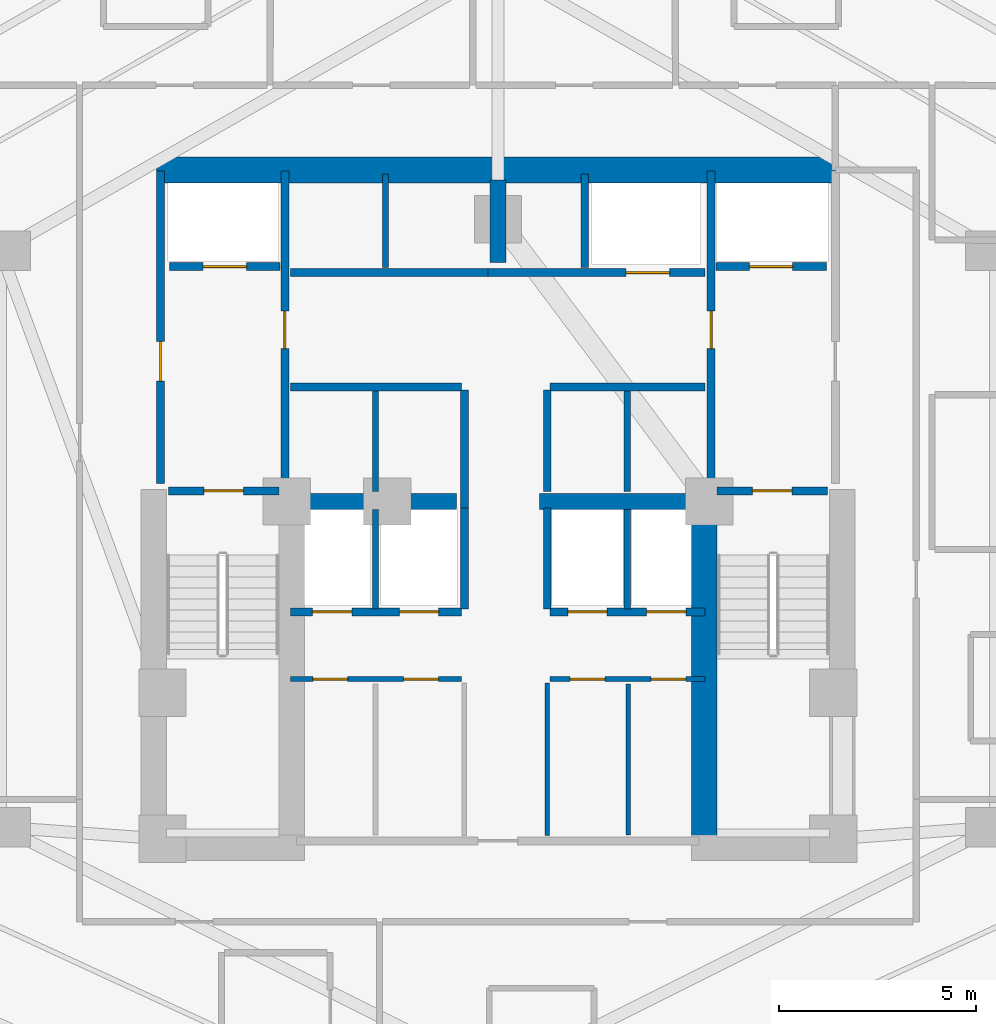
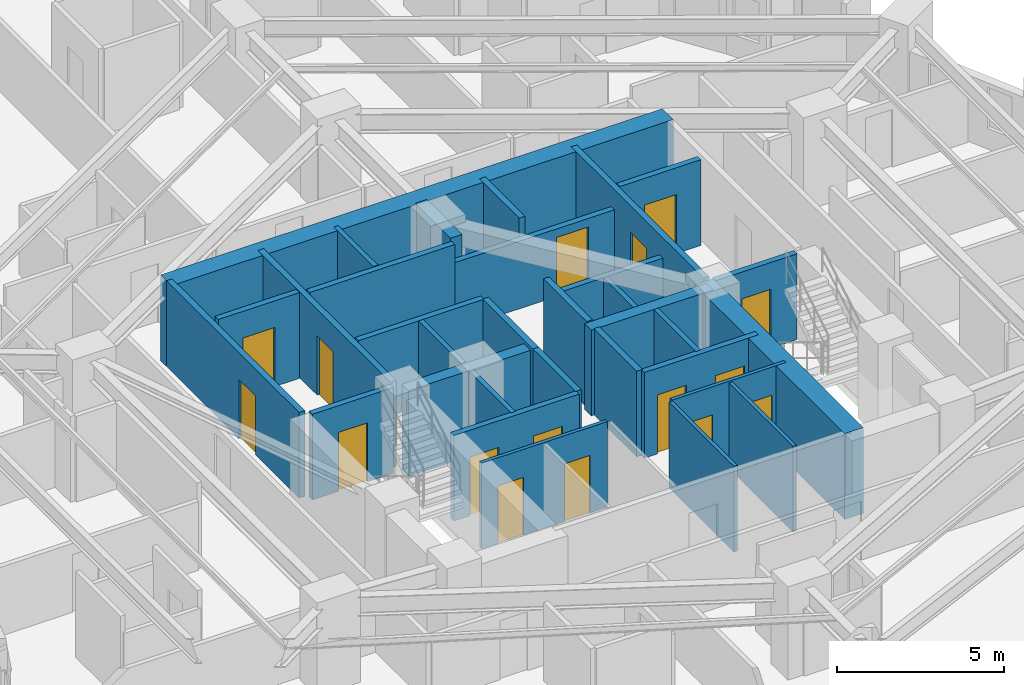
# One storey, part 8 of 13: 32 walls, 16 doors, 16 openings.
"""IFC4 building model written with IfcOpenShell, lengths in metres."""

from ifc_helpers import new_model, si_unit, direction, frame, frame_2d, origin, place, context, subcontext, project, spatial, rectangle, extrude, material, layer, layer_set, type_object, element, fill, save


model = new_model("IFC4")

# Units and contexts
model_context = context("Model", 3, precision=1e-05, world=origin(), true_north=direction((0.0, 1.0)))
body_context = subcontext(model_context, "Body", "Model", "MODEL_VIEW")
ifc_project = project(units=[si_unit("LENGTHUNIT", "METRE"), si_unit("AREAUNIT", "SQUARE_METRE"), si_unit("VOLUMEUNIT", "CUBIC_METRE"), si_unit("PLANEANGLEUNIT", "RADIAN"), si_unit("MASSUNIT", "GRAM", prefix="KILO")], contexts=[model_context])

# Site, building, storey
site_placement = place(None, origin())
site = spatial("IfcSite", under=ifc_project, at=site_placement, CompositionType="ELEMENT")
building_placement = place(site_placement, origin())
building = spatial("IfcBuilding", under=site, at=building_placement, Name="Miruveldt Soraemaru", CompositionType="ELEMENT")
storey_placement = place(building_placement, frame((0.0, 0.0, 46.199951171875)))
storey = spatial("IfcBuildingStorey", under=building, at=storey_placement, Name="L12", CompositionType="ELEMENT", Elevation=46.199951171875)

# Walls
ifc_material_1 = material(Name="Concrete C70/85 (70 MPa)", Category="concrete")
ifc_layer_1 = layer(ifc_material_1, 0.5, Name="Concrete C70/85 (70 MPa)", Category="concrete")
ifc_layer_set_1 = layer_set([ifc_layer_1], Name="Concrete C70/85 (70 MPa)")
wall_type_1 = type_object("IfcWallType", Name="WALL-BW-500", PredefinedType="SHEAR", material=ifc_layer_set_1)
wall_1_placement = place(storey_placement, frame((44.0, 50.10009765625, 0.0), z_axis=(0.0, 0.0, 1.0), x_axis=(0.0, 1.0, 0.0)))
element("IfcWall", 1, at=wall_1_placement, inside=storey, type_object=wall_type_1, Name="L12 Core Buttress Shear Wall BN", PredefinedType="SHEAR", context=body_context, shape_type="SweptSolid", body=[
    extrude(rectangle(XDim=2.099853515625, YDim=0.39990234375, at=frame_2d((1.0498046875, 0.0))), origin(), (0.0, 0.0, 1.0), 3.125),
])
for number, where, z_axis, x_axis, name in (
    (2, (38.75, 44.050048828125, 0.0), (0.0, 0.0, 1.0), (1.0, 0.0, 0.0), "L12 Core Buttress Shear Wall BW"),
    (3, (45.050048828125, 44.050048828125, 0.0), (0.0, 0.0, 1.0), (1.0, 0.0, 0.0), "L12 Core Buttress Shear Wall BE"),
):
    element("IfcWall", number, at=place(storey_placement, frame(where, z_axis=z_axis, x_axis=x_axis)), inside=storey, type_object=wall_type_1, Name=name, PredefinedType="SHEAR", context=body_context, shape_type="SweptSolid", body=[
        extrude(rectangle(XDim=4.199951171875, YDim=0.39990234375, at=frame_2d((2.10009765625, 0.0))), origin(), (0.0, 0.0, 1.0), 3.125),
    ])
ifc_material_2 = material(Name="Concrete C80/95 (80 MPa)", Category="concrete")
ifc_layer_2 = layer(ifc_material_2, 0.64990234375, Name="Concrete C80/95 (80 MPa)", Category="concrete")
ifc_layer_set_2 = layer_set([ifc_layer_2], Name="Concrete C80/95 (80 MPa)")
wall_type_2 = type_object("IfcWallType", Name="WALL-CW-650", PredefinedType="SHEAR", material=ifc_layer_set_2)
wall_2_placement = place(storey_placement, frame((35.35009765625, 52.449951171875, 0.0), z_axis=(0.0, 0.0, 1.0), x_axis=(1.0, 0.0, 0.0)))
element("IfcWall", 4, at=wall_2_placement, inside=storey, type_object=wall_type_2, Name="L12 Central Core Shear Wall N", PredefinedType="SHEAR", context=body_context, shape_type="SweptSolid", body=[
    extrude(rectangle(XDim=17.2998046875, YDim=0.64990234375, at=frame_2d((8.64990234375, 0.0))), origin(), (0.0, 0.0, 1.0), 3.125),
])
wall_3_placement = place(storey_placement, frame((49.22509765625, 35.39990234375, 0.0), z_axis=(0.0, 0.0, 1.0), x_axis=(0.0, 1.0, 0.0)))
element("IfcWall", 5, at=wall_3_placement, inside=storey, type_object=wall_type_2, Name="L12 Central Core Shear Wall SE-INT", PredefinedType="SHEAR", context=body_context, shape_type="SweptSolid", body=[
    extrude(rectangle(XDim=8.9501953125, YDim=0.64990234375, at=frame_2d((4.47509765625, 0.0))), origin(), (0.0, 0.0, 1.0), 3.125),
])

# Wall, openings, doors
ifc_material_3 = material(Name="Gypsum plasterboard lining", Category="gypsum")
ifc_layer_3 = layer(ifc_material_3, 0.1201171875, Name="Gypsum plasterboard lining", Category="gypsum")
ifc_layer_set_3 = layer_set([ifc_layer_3], Name="Gypsum plasterboard lining")
wall_type_3 = type_object("IfcWallType", Name="WALL-INT-P120", PredefinedType="PARTITIONING", material=ifc_layer_set_3)
wall_4_placement = place(storey_placement, frame((38.75, 39.550048828125, 0.0), z_axis=(0.0, 0.0, 1.0), x_axis=(1.0, 0.0, 0.0)))
wall_4 = element("IfcWall", 6, at=wall_4_placement, inside=storey, type_object=wall_type_3, Name="L12 Core Compartment Wall CSW-N", PredefinedType="PARTITIONING", context=body_context, shape_type="SweptSolid", body=[
    extrude(rectangle(XDim=4.330078125, YDim=0.1201171875, at=frame_2d((2.1650390625, 0.0))), origin(), (0.0, 0.0, 1.0), 3.125),
])
opening_1_placement = place(wall_4_placement, frame((0.56005859375, 0.0, 0.0)))
opening_1 = element("IfcOpeningElement", 7, at=opening_1_placement, cuts=wall_4, Name="Opening D4", PredefinedType="OPENING", context=body_context, shape_type="SweptSolid", body=[
    extrude(rectangle(XDim=0.8798828125, YDim=2.10009765625, at=frame_2d((0.43994140625, 1.050048828125))), frame((0.0, 0.070068359375, 0.0), z_axis=(0.0, -1.0, 0.0), x_axis=(1.0, 0.0, 0.0)), (0.0, 0.0, 1.0), 0.14013671875),
])
opening_2_placement = place(wall_4_placement, frame((2.860107421875, 0.0, 0.0)))
opening_2 = element("IfcOpeningElement", 8, at=opening_2_placement, cuts=wall_4, Name="Opening D4", PredefinedType="OPENING", context=body_context, shape_type="SweptSolid", body=[
    extrude(rectangle(XDim=0.8798828125, YDim=2.10009765625, at=frame_2d((0.43994140625, 1.050048828125))), frame((0.0, 0.070068359375, 0.0), z_axis=(0.0, -1.0, 0.0), x_axis=(1.0, 0.0, 0.0)), (0.0, 0.0, 1.0), 0.14013671875),
])
ifc_material_4 = material(Name="Anodised aluminium EN AW-6063 T6", Category="aluminium")
door_type_1 = type_object("IfcDoorType", Name="DOOR-INT-880", OperationType="NOTDEFINED", PredefinedType="DOOR", material=ifc_material_4)
door_1_placement = place(opening_1_placement, origin())
door_1 = element("IfcDoor", 9, at=door_1_placement, inside=storey, type_object=door_type_1, Name="L12 Fire Door", OperationType="SINGLE_SWING_LEFT", OverallHeight=2.10009765625, OverallWidth=0.8798828125, PredefinedType="DOOR", context=body_context, shape_type="SweptSolid", body=[
    extrude(rectangle(XDim=0.8798828125, YDim=2.10009765625, at=frame_2d((0.43994140625, 1.050048828125))), frame((0.0, 0.02490234375, 0.0), z_axis=(0.0, -1.0, 0.0), x_axis=(1.0, 0.0, 0.0)), (0.0, 0.0, 1.0), 0.050048828125),
])
fill(opening_1, door_1)
door_2_placement = place(opening_2_placement, origin())
door_2 = element("IfcDoor", 10, at=door_2_placement, inside=storey, type_object=door_type_1, Name="L12 Fire Door", OperationType="SINGLE_SWING_LEFT", OverallHeight=2.10009765625, OverallWidth=0.8798828125, PredefinedType="DOOR", context=body_context, shape_type="SweptSolid", body=[
    extrude(rectangle(XDim=0.8798828125, YDim=2.10009765625, at=frame_2d((0.43994140625, 1.050048828125))), frame((0.0, 0.02490234375, 0.0), z_axis=(0.0, -1.0, 0.0), x_axis=(1.0, 0.0, 0.0)), (0.0, 0.0, 1.0), 0.050048828125),
])
fill(opening_2, door_2)

wall_5_placement = place(storey_placement, frame((45.320068359375, 39.550048828125, 0.0), z_axis=(0.0, 0.0, 1.0), x_axis=(1.0, 0.0, 0.0)))
wall_5 = element("IfcWall", 11, at=wall_5_placement, inside=storey, type_object=wall_type_3, Name="L12 Core Compartment Wall CSE-N", PredefinedType="PARTITIONING", context=body_context, shape_type="SweptSolid", body=[
    extrude(rectangle(XDim=3.929931640625, YDim=0.1201171875, at=frame_2d((1.96484375, 0.0))), origin(), (0.0, 0.0, 1.0), 3.125),
])
opening_3_placement = place(wall_5_placement, frame((0.510009765625, 0.0, 0.0)))
opening_3 = element("IfcOpeningElement", 12, at=opening_3_placement, cuts=wall_5, Name="Opening D4", PredefinedType="OPENING", context=body_context, shape_type="SweptSolid", body=[
    extrude(rectangle(XDim=0.8798828125, YDim=2.10009765625, at=frame_2d((0.43994140625, 1.050048828125))), frame((0.0, 0.070068359375, 0.0), z_axis=(0.0, -1.0, 0.0), x_axis=(1.0, 0.0, 0.0)), (0.0, 0.0, 1.0), 0.14013671875),
])
opening_4_placement = place(wall_5_placement, frame((2.56005859375, 0.0, 0.0)))
opening_4 = element("IfcOpeningElement", 13, at=opening_4_placement, cuts=wall_5, Name="Opening D4", PredefinedType="OPENING", context=body_context, shape_type="SweptSolid", body=[
    extrude(rectangle(XDim=0.8798828125, YDim=2.10009765625, at=frame_2d((0.43994140625, 1.050048828125))), frame((0.0, 0.070068359375, 0.0), z_axis=(0.0, -1.0, 0.0), x_axis=(1.0, 0.0, 0.0)), (0.0, 0.0, 1.0), 0.14013671875),
])
door_3_placement = place(opening_3_placement, origin())
door_3 = element("IfcDoor", 14, at=door_3_placement, inside=storey, type_object=door_type_1, Name="L12 Fire Door", OperationType="SINGLE_SWING_LEFT", OverallHeight=2.10009765625, OverallWidth=0.8798828125, PredefinedType="DOOR", context=body_context, shape_type="SweptSolid", body=[
    extrude(rectangle(XDim=0.8798828125, YDim=2.10009765625, at=frame_2d((0.43994140625, 1.050048828125))), frame((0.0, 0.02490234375, 0.0), z_axis=(0.0, -1.0, 0.0), x_axis=(1.0, 0.0, 0.0)), (0.0, 0.0, 1.0), 0.050048828125),
])
fill(opening_3, door_3)
door_4_placement = place(opening_4_placement, origin())
door_4 = element("IfcDoor", 15, at=door_4_placement, inside=storey, type_object=door_type_1, Name="L12 Fire Door", OperationType="SINGLE_SWING_LEFT", OverallHeight=2.10009765625, OverallWidth=0.8798828125, PredefinedType="DOOR", context=body_context, shape_type="SweptSolid", body=[
    extrude(rectangle(XDim=0.8798828125, YDim=2.10009765625, at=frame_2d((0.43994140625, 1.050048828125))), frame((0.0, 0.02490234375, 0.0), z_axis=(0.0, -1.0, 0.0), x_axis=(1.0, 0.0, 0.0)), (0.0, 0.0, 1.0), 0.050048828125),
])
fill(opening_4, door_4)

# Walls
wall_6_placement = place(storey_placement, frame((45.25, 35.580078125, 0.0), z_axis=(0.0, 0.0, 1.0), x_axis=(0.0, 1.0, 0.0)))
element("IfcWall", 16, at=wall_6_placement, inside=storey, type_object=wall_type_3, Name="L12 Core Compartment Wall SP-ES", PredefinedType="PARTITIONING", context=body_context, shape_type="SweptSolid", body=[
    extrude(rectangle(XDim=3.869873046875, YDim=0.1201171875, at=frame_2d((1.93505859375, 0.0))), origin(), (0.0, 0.0, 1.0), 3.125),
])
wall_7_placement = place(storey_placement, frame((47.300048828125, 35.60009765625, 0.0), z_axis=(0.0, 0.0, 1.0), x_axis=(0.0, 1.0, 0.0)))
element("IfcWall", 17, at=wall_7_placement, inside=storey, type_object=wall_type_3, Name="L12 Core Compartment Wall CE2-V", PredefinedType="PARTITIONING", context=body_context, shape_type="SweptSolid", body=[
    extrude(rectangle(XDim=3.81982421875, YDim=0.1201171875, at=frame_2d((1.909912109375, 0.0))), origin(), (0.0, 0.0, 1.0), 3.125),
])
ifc_material_5 = material(Name="Concrete C40/50 (40 MPa)", Category="concrete")
ifc_layer_4 = layer(ifc_material_5, 0.159912109375, Name="Concrete C40/50 (40 MPa)", Category="concrete")
ifc_layer_set_4 = layer_set([ifc_layer_4], Name="Concrete C40/50 (40 MPa)")
wall_type_4 = type_object("IfcWallType", Name="WALL-INT-RC160", PredefinedType="SOLIDWALL", material=ifc_layer_set_4)
wall_8_placement = place(storey_placement, frame((40.89990234375, 44.300048828125, 0.0), z_axis=(0.0, 0.0, 1.0), x_axis=(0.0, 1.0, 0.0)))
element("IfcWall", 18, at=wall_8_placement, inside=storey, type_object=wall_type_4, Name="L12 Core Compartment Wall PLM-DW", PredefinedType="SOLIDWALL", context=body_context, shape_type="SweptSolid", body=[
    extrude(rectangle(XDim=2.550048828125, YDim=0.159912109375, at=frame_2d((1.27490234375, 0.0))), origin(), (0.0, 0.0, 1.0), 3.125),
])
wall_9_placement = place(storey_placement, frame((47.280029296875, 44.300048828125, 0.0), z_axis=(0.0, 0.0, 1.0), x_axis=(0.0, 1.0, 0.0)))
element("IfcWall", 19, at=wall_9_placement, inside=storey, type_object=wall_type_4, Name="L12 Core Compartment Wall PLM-DE", PredefinedType="SOLIDWALL", context=body_context, shape_type="SweptSolid", body=[
    extrude(rectangle(XDim=2.550048828125, YDim=0.159912109375, at=frame_2d((1.27490234375, 0.0))), origin(), (0.0, 0.0, 1.0), 2.463134765625),
])
for number, where, z_axis, x_axis, name in (
    (20, (40.89990234375, 41.320068359375, 0.0), (0.0, 0.0, 1.0), (0.0, 1.0, 0.0), "L12 Core Compartment Wall PLL-DW"),
    (21, (47.280029296875, 41.320068359375, 0.0), (0.0, 0.0, 1.0), (0.0, 1.0, 0.0), "L12 Core Compartment Wall PLL-DE"),
):
    element("IfcWall", number, at=place(storey_placement, frame(where, z_axis=z_axis, x_axis=x_axis)), inside=storey, type_object=wall_type_4, Name=name, PredefinedType="SOLIDWALL", context=body_context, shape_type="SweptSolid", body=[
        extrude(rectangle(XDim=2.530029296875, YDim=0.159912109375, at=frame_2d((1.26513671875, 0.0))), origin(), (0.0, 0.0, 1.0), 3.125),
    ])
wall_10_placement = place(storey_placement, frame((41.14990234375, 49.97998046875, 0.0), z_axis=(0.0, 0.0, 1.0), x_axis=(0.0, 1.0, 0.0)))
element("IfcWall", 22, at=wall_10_placement, inside=storey, type_object=wall_type_4, Name="L12 Core Compartment Wall PLH-DIV1", PredefinedType="SOLIDWALL", context=body_context, shape_type="SweptSolid", body=[
    extrude(rectangle(XDim=2.3701171875, YDim=0.159912109375, at=frame_2d((1.18505859375, 0.0))), origin(), (0.0, 0.0, 1.0), 3.125),
])

# Wall, opening, door
ifc_layer_5 = layer(ifc_material_5, 0.199951171875, Name="Concrete C40/50 (40 MPa)", Category="concrete")
ifc_layer_set_5 = layer_set([ifc_layer_5], Name="Concrete C40/50 (40 MPa)")
wall_type_5 = type_object("IfcWallType", Name="WALL-INT-RC200", PredefinedType="SOLIDWALL", material=ifc_layer_set_5)
wall_11_placement = place(storey_placement, frame((35.449951171875, 44.5, 0.0), z_axis=(0.0, 0.0, 1.0), x_axis=(0.0, 1.0, 0.0)))
wall_11 = element("IfcWall", 23, at=wall_11_placement, inside=storey, type_object=wall_type_5, Name="L12 Core Compartment Wall FFW-OUT", PredefinedType="SOLIDWALL", context=body_context, shape_type="SweptSolid", body=[
    extrude(rectangle(XDim=7.919921875, YDim=0.199951171875, at=frame_2d((3.9599609375, 0.0))), origin(), (0.0, 0.0, 1.0), 3.125),
])
opening_5_placement = place(wall_11_placement, frame((2.60009765625, 0.0, 0.0)))
opening_5 = element("IfcOpeningElement", 24, at=opening_5_placement, cuts=wall_11, Name="Opening FD1", PredefinedType="OPENING", context=body_context, shape_type="SweptSolid", body=[
    extrude(rectangle(XDim=1.0, YDim=2.14990234375, at=frame_2d((0.5, 1.074951171875))), frame((0.0, 0.10986328125, 0.0), z_axis=(0.0, -1.0, 0.0), x_axis=(1.0, 0.0, 0.0)), (0.0, 0.0, 1.0), 0.219970703125),
])
door_type_2 = type_object("IfcDoorType", Name="DOOR-FD1-1000", OperationType="NOTDEFINED", PredefinedType="DOOR", material=ifc_material_4)
door_5_placement = place(opening_5_placement, origin())
door_5 = element("IfcDoor", 25, at=door_5_placement, inside=storey, type_object=door_type_2, Name="L12 West Firefighting Lobby Exit Door", OperationType="SINGLE_SWING_LEFT", OverallHeight=2.14990234375, OverallWidth=1.0, PredefinedType="DOOR", context=body_context, shape_type="SweptSolid", body=[
    extrude(rectangle(XDim=1.0, YDim=2.14990234375, at=frame_2d((0.5, 1.074951171875))), frame((0.0, 0.02490234375, 0.0), z_axis=(0.0, -1.0, 0.0), x_axis=(1.0, 0.0, 0.0)), (0.0, 0.0, 1.0), 0.050048828125),
])
fill(opening_5, door_5)

wall_12_placement = place(storey_placement, frame((38.60009765625, 44.5, 0.0), z_axis=(0.0, 0.0, 1.0), x_axis=(0.0, 1.0, 0.0)))
wall_12 = element("IfcWall", 26, at=wall_12_placement, inside=storey, type_object=wall_type_5, Name="L12 Core Compartment Wall FFW-IN", PredefinedType="SOLIDWALL", context=body_context, shape_type="SweptSolid", body=[
    extrude(rectangle(XDim=7.919921875, YDim=0.199951171875, at=frame_2d((3.9599609375, 0.0))), origin(), (0.0, 0.0, 1.0), 3.125),
])
opening_6_placement = place(wall_12_placement, frame((3.425048828125, 0.0, 0.0)))
opening_6 = element("IfcOpeningElement", 27, at=opening_6_placement, cuts=wall_12, Name="Opening FD2", PredefinedType="OPENING", context=body_context, shape_type="SweptSolid", body=[
    extrude(rectangle(XDim=0.949951171875, YDim=2.14990234375, at=frame_2d((0.47509765625, 1.074951171875))), frame((0.0, 0.10986328125, 0.0), z_axis=(0.0, -1.0, 0.0), x_axis=(1.0, 0.0, 0.0)), (0.0, 0.0, 1.0), 0.219970703125),
])
door_type_3 = type_object("IfcDoorType", Name="DOOR-FD2-950", OperationType="NOTDEFINED", PredefinedType="DOOR", material=ifc_material_4)
door_6_placement = place(opening_6_placement, frame((0.949951171875, 0.0, 0.0), z_axis=(0.0, 0.0, 1.0), x_axis=(-1.0, 0.0, 0.0)))
door_6 = element("IfcDoor", 28, at=door_6_placement, inside=storey, type_object=door_type_3, Name="L12 Lift Lobby to West Fire Lobby Door", OperationType="SINGLE_SWING_RIGHT", OverallHeight=2.14990234375, OverallWidth=0.949951171875, PredefinedType="DOOR", context=body_context, shape_type="SweptSolid", body=[
    extrude(rectangle(XDim=0.949951171875, YDim=2.14990234375, at=frame_2d((0.47509765625, 1.074951171875))), frame((0.0, 0.02490234375, 0.0), z_axis=(0.0, -1.0, 0.0), x_axis=(1.0, 0.0, 0.0)), (0.0, 0.0, 1.0), 0.050048828125),
])
fill(opening_6, door_6)

wall_13_placement = place(storey_placement, frame((49.39990234375, 44.5, 0.0), z_axis=(0.0, 0.0, 1.0), x_axis=(0.0, 1.0, 0.0)))
wall_13 = element("IfcWall", 29, at=wall_13_placement, inside=storey, type_object=wall_type_5, Name="L12 Core Compartment Wall FFE-IN", PredefinedType="SOLIDWALL", context=body_context, shape_type="SweptSolid", body=[
    extrude(rectangle(XDim=7.919921875, YDim=0.199951171875, at=frame_2d((3.9599609375, 0.0))), origin(), (0.0, 0.0, 1.0), 3.125),
])
opening_7_placement = place(wall_13_placement, frame((3.425048828125, 0.0, 0.0)))
opening_7 = element("IfcOpeningElement", 30, at=opening_7_placement, cuts=wall_13, Name="Opening FD2", PredefinedType="OPENING", context=body_context, shape_type="SweptSolid", body=[
    extrude(rectangle(XDim=0.949951171875, YDim=2.14990234375, at=frame_2d((0.47509765625, 1.074951171875))), frame((0.0, 0.10986328125, 0.0), z_axis=(0.0, -1.0, 0.0), x_axis=(1.0, 0.0, 0.0)), (0.0, 0.0, 1.0), 0.219970703125),
])
door_7_placement = place(opening_7_placement, origin())
door_7 = element("IfcDoor", 31, at=door_7_placement, inside=storey, type_object=door_type_3, Name="L12 Lift Lobby to East Fire Lobby Door", OperationType="SINGLE_SWING_LEFT", OverallHeight=2.14990234375, OverallWidth=0.949951171875, PredefinedType="DOOR", context=body_context, shape_type="SweptSolid", body=[
    extrude(rectangle(XDim=0.949951171875, YDim=2.14990234375, at=frame_2d((0.47509765625, 1.074951171875))), frame((0.0, 0.02490234375, 0.0), z_axis=(0.0, -1.0, 0.0), x_axis=(1.0, 0.0, 0.0)), (0.0, 0.0, 1.0), 0.050048828125),
])
fill(opening_7, door_7)

wall_14_placement = place(storey_placement, frame((43.75, 49.85009765625, 0.0), z_axis=(0.0, 0.0, 1.0), x_axis=(1.0, 0.0, 0.0)))
wall_14 = element("IfcWall", 32, at=wall_14_placement, inside=storey, type_object=wall_type_5, Name="L12 Core Compartment Wall ROWA-SE", PredefinedType="SOLIDWALL", context=body_context, shape_type="SweptSolid", body=[
    extrude(rectangle(XDim=5.5, YDim=0.199951171875, at=frame_2d((2.75, 0.0))), origin(), (0.0, 0.0, 1.0), 2.463134765625),
])
opening_8_placement = place(wall_14_placement, frame((3.5, 0.0, 0.0)))
opening_8 = element("IfcOpeningElement", 33, at=opening_8_placement, cuts=wall_14, Name="Opening LD2", PredefinedType="OPENING", context=body_context, shape_type="SweptSolid", body=[
    extrude(rectangle(XDim=1.10009765625, YDim=2.14990234375, at=frame_2d((0.550048828125, 1.074951171875))), frame((0.0, 0.10986328125, 0.0), z_axis=(0.0, -1.0, 0.0), x_axis=(1.0, 0.0, 0.0)), (0.0, 0.0, 1.0), 0.219970703125),
])
door_type_4 = type_object("IfcDoorType", Name="DOOR-LD2-1100", OperationType="SLIDING_TO_LEFT", PredefinedType="DOOR", material=ifc_material_4)
door_8_placement = place(opening_8_placement, origin())
door_8 = element("IfcDoor", 34, at=door_8_placement, inside=storey, type_object=door_type_4, Name="L12 SL-1 Landing Door", OperationType="SLIDING_TO_LEFT", OverallHeight=2.14990234375, OverallWidth=1.10009765625, PredefinedType="DOOR", context=body_context, shape_type="SweptSolid", body=[
    extrude(rectangle(XDim=1.10009765625, YDim=2.14990234375, at=frame_2d((0.550048828125, 1.074951171875))), frame((0.0, 0.02490234375, 0.0), z_axis=(0.0, -1.0, 0.0), x_axis=(1.0, 0.0, 0.0)), (0.0, 0.0, 1.0), 0.050048828125),
])
fill(opening_8, door_8)

# Wall, openings, doors
wall_15_placement = place(storey_placement, frame((38.75, 41.25, 0.0), z_axis=(0.0, 0.0, 1.0), x_axis=(1.0, 0.0, 0.0)))
wall_15 = element("IfcWall", 35, at=wall_15_placement, inside=storey, type_object=wall_type_5, Name="L12 Core Compartment Wall LBW-S", PredefinedType="SOLIDWALL", context=body_context, shape_type="SweptSolid", body=[
    extrude(rectangle(XDim=4.330078125, YDim=0.199951171875, at=frame_2d((2.1650390625, 0.0))), origin(), (0.0, 0.0, 1.0), 3.125),
])
opening_9_placement = place(wall_15_placement, frame((0.550048828125, 0.0, 0.0)))
opening_9 = element("IfcOpeningElement", 36, at=opening_9_placement, cuts=wall_15, Name="Opening LD1B", PredefinedType="OPENING", context=body_context, shape_type="SweptSolid", body=[
    extrude(rectangle(XDim=1.0, YDim=2.14990234375, at=frame_2d((0.5, 1.074951171875))), frame((0.0, 0.10986328125, 0.0), z_axis=(0.0, -1.0, 0.0), x_axis=(1.0, 0.0, 0.0)), (0.0, 0.0, 1.0), 0.219970703125),
])
opening_10_placement = place(wall_15_placement, frame((2.75, 0.0, 0.0)))
opening_10 = element("IfcOpeningElement", 37, at=opening_10_placement, cuts=wall_15, Name="Opening LD1B", PredefinedType="OPENING", context=body_context, shape_type="SweptSolid", body=[
    extrude(rectangle(XDim=1.0, YDim=2.14990234375, at=frame_2d((0.5, 1.074951171875))), frame((0.0, 0.10986328125, 0.0), z_axis=(0.0, -1.0, 0.0), x_axis=(1.0, 0.0, 0.0)), (0.0, 0.0, 1.0), 0.219970703125),
])
door_type_5 = type_object("IfcDoorType", Name="DOOR-LD1-1000", OperationType="SLIDING_TO_LEFT", PredefinedType="DOOR", material=ifc_material_4)
door_9_placement = place(opening_9_placement, frame((1.0, 0.0, 0.0), z_axis=(0.0, 0.0, 1.0), x_axis=(-1.0, 0.0, 0.0)))
door_9 = element("IfcDoor", 38, at=door_9_placement, inside=storey, type_object=door_type_5, Name="L12 PL-L1 Landing Door", OperationType="SLIDING_TO_LEFT", OverallHeight=2.14990234375, OverallWidth=1.0, PredefinedType="DOOR", context=body_context, shape_type="SweptSolid", body=[
    extrude(rectangle(XDim=1.0, YDim=2.14990234375, at=frame_2d((0.5, 1.074951171875))), frame((0.0, 0.02490234375, 0.0), z_axis=(0.0, -1.0, 0.0), x_axis=(1.0, 0.0, 0.0)), (0.0, 0.0, 1.0), 0.050048828125),
])
fill(opening_9, door_9)
door_10_placement = place(opening_10_placement, frame((1.0, 0.0, 0.0), z_axis=(0.0, 0.0, 1.0), x_axis=(-1.0, 0.0, 0.0)))
door_10 = element("IfcDoor", 39, at=door_10_placement, inside=storey, type_object=door_type_5, Name="L12 PL-L2 Landing Door", OperationType="SLIDING_TO_LEFT", OverallHeight=2.14990234375, OverallWidth=1.0, PredefinedType="DOOR", context=body_context, shape_type="SweptSolid", body=[
    extrude(rectangle(XDim=1.0, YDim=2.14990234375, at=frame_2d((0.5, 1.074951171875))), frame((0.0, 0.02490234375, 0.0), z_axis=(0.0, -1.0, 0.0), x_axis=(1.0, 0.0, 0.0)), (0.0, 0.0, 1.0), 0.050048828125),
])
fill(opening_10, door_10)

wall_16_placement = place(storey_placement, frame((45.320068359375, 41.25, 0.0), z_axis=(0.0, 0.0, 1.0), x_axis=(1.0, 0.0, 0.0)))
wall_16 = element("IfcWall", 40, at=wall_16_placement, inside=storey, type_object=wall_type_5, Name="L12 Core Compartment Wall LBE-S", PredefinedType="SOLIDWALL", context=body_context, shape_type="SweptSolid", body=[
    extrude(rectangle(XDim=3.929931640625, YDim=0.199951171875, at=frame_2d((1.96484375, 0.0))), origin(), (0.0, 0.0, 1.0), 3.125),
])
opening_11_placement = place(wall_16_placement, frame((0.449951171875, 0.0, 0.0)))
opening_11 = element("IfcOpeningElement", 41, at=opening_11_placement, cuts=wall_16, Name="Opening LD1B", PredefinedType="OPENING", context=body_context, shape_type="SweptSolid", body=[
    extrude(rectangle(XDim=1.0, YDim=2.14990234375, at=frame_2d((0.5, 1.074951171875))), frame((0.0, 0.10986328125, 0.0), z_axis=(0.0, -1.0, 0.0), x_axis=(1.0, 0.0, 0.0)), (0.0, 0.0, 1.0), 0.219970703125),
])
opening_12_placement = place(wall_16_placement, frame((2.449951171875, 0.0, 0.0)))
opening_12 = element("IfcOpeningElement", 42, at=opening_12_placement, cuts=wall_16, Name="Opening LD1B", PredefinedType="OPENING", context=body_context, shape_type="SweptSolid", body=[
    extrude(rectangle(XDim=1.0, YDim=2.14990234375, at=frame_2d((0.5, 1.074951171875))), frame((0.0, 0.10986328125, 0.0), z_axis=(0.0, -1.0, 0.0), x_axis=(1.0, 0.0, 0.0)), (0.0, 0.0, 1.0), 0.219970703125),
])
door_11_placement = place(opening_11_placement, frame((1.0, 0.0, 0.0), z_axis=(0.0, 0.0, 1.0), x_axis=(-1.0, 0.0, 0.0)))
door_11 = element("IfcDoor", 43, at=door_11_placement, inside=storey, type_object=door_type_5, Name="L12 PL-L3 Landing Door", OperationType="SLIDING_TO_LEFT", OverallHeight=2.14990234375, OverallWidth=1.0, PredefinedType="DOOR", context=body_context, shape_type="SweptSolid", body=[
    extrude(rectangle(XDim=1.0, YDim=2.14990234375, at=frame_2d((0.5, 1.074951171875))), frame((0.0, 0.02490234375, 0.0), z_axis=(0.0, -1.0, 0.0), x_axis=(1.0, 0.0, 0.0)), (0.0, 0.0, 1.0), 0.050048828125),
])
fill(opening_11, door_11)
door_12_placement = place(opening_12_placement, frame((1.0, 0.0, 0.0), z_axis=(0.0, 0.0, 1.0), x_axis=(-1.0, 0.0, 0.0)))
door_12 = element("IfcDoor", 44, at=door_12_placement, inside=storey, type_object=door_type_5, Name="L12 PL-L4 Landing Door", OperationType="SLIDING_TO_LEFT", OverallHeight=2.14990234375, OverallWidth=1.0, PredefinedType="DOOR", context=body_context, shape_type="SweptSolid", body=[
    extrude(rectangle(XDim=1.0, YDim=2.14990234375, at=frame_2d((0.5, 1.074951171875))), frame((0.0, 0.02490234375, 0.0), z_axis=(0.0, -1.0, 0.0), x_axis=(1.0, 0.0, 0.0)), (0.0, 0.0, 1.0), 0.050048828125),
])
fill(opening_12, door_12)

# Wall, opening, door
wall_17_placement = place(storey_placement, frame((35.64990234375, 44.320068359375, 0.0), z_axis=(0.0, 0.0, 1.0), x_axis=(1.0, 0.0, 0.0)))
wall_17 = element("IfcWall", 45, at=wall_17_placement, inside=storey, type_object=wall_type_5, Name="L12 Core Compartment Wall ST1-N", PredefinedType="SOLIDWALL", context=body_context, shape_type="SweptSolid", body=[
    extrude(rectangle(XDim=2.800048828125, YDim=0.199951171875, at=frame_2d((1.39990234375, 0.0))), origin(), (0.0, 0.0, 1.0), 3.125),
])
opening_13_placement = place(wall_17_placement, frame((0.89990234375, 0.0, 0.0)))
opening_13 = element("IfcOpeningElement", 46, at=opening_13_placement, cuts=wall_17, Name="Opening FD1", PredefinedType="OPENING", context=body_context, shape_type="SweptSolid", body=[
    extrude(rectangle(XDim=1.0, YDim=2.14990234375, at=frame_2d((0.5, 1.074951171875))), frame((0.0, 0.10986328125, 0.0), z_axis=(0.0, -1.0, 0.0), x_axis=(1.0, 0.0, 0.0)), (0.0, 0.0, 1.0), 0.219970703125),
])
door_13_placement = place(opening_13_placement, frame((1.0, 0.0, 0.0), z_axis=(0.0, 0.0, 1.0), x_axis=(-1.0, 0.0, 0.0)))
door_13 = element("IfcDoor", 47, at=door_13_placement, inside=storey, type_object=door_type_2, Name="L12 Stair ST-1 Fire Door", OperationType="SINGLE_SWING_LEFT", OverallHeight=2.14990234375, OverallWidth=1.0, PredefinedType="DOOR", context=body_context, shape_type="SweptSolid", body=[
    extrude(rectangle(XDim=1.0, YDim=2.14990234375, at=frame_2d((0.5, 1.074951171875))), frame((0.0, 0.02490234375, 0.0), z_axis=(0.0, -1.0, 0.0), x_axis=(1.0, 0.0, 0.0)), (0.0, 0.0, 1.0), 0.050048828125),
])
fill(opening_13, door_13)

wall_18_placement = place(storey_placement, frame((49.550048828125, 44.320068359375, 0.0), z_axis=(0.0, 0.0, 1.0), x_axis=(1.0, 0.0, 0.0)))
wall_18 = element("IfcWall", 48, at=wall_18_placement, inside=storey, type_object=wall_type_5, Name="L12 Core Compartment Wall ST2-N", PredefinedType="SOLIDWALL", context=body_context, shape_type="SweptSolid", body=[
    extrude(rectangle(XDim=2.800048828125, YDim=0.199951171875, at=frame_2d((1.39990234375, 0.0))), origin(), (0.0, 0.0, 1.0), 3.125),
])
opening_14_placement = place(wall_18_placement, frame((0.89990234375, 0.0, 0.0)))
opening_14 = element("IfcOpeningElement", 49, at=opening_14_placement, cuts=wall_18, Name="Opening FD1", PredefinedType="OPENING", context=body_context, shape_type="SweptSolid", body=[
    extrude(rectangle(XDim=1.0, YDim=2.14990234375, at=frame_2d((0.5, 1.074951171875))), frame((0.0, 0.10986328125, 0.0), z_axis=(0.0, -1.0, 0.0), x_axis=(1.0, 0.0, 0.0)), (0.0, 0.0, 1.0), 0.219970703125),
])
door_14_placement = place(opening_14_placement, frame((1.0, 0.0, 0.0), z_axis=(0.0, 0.0, 1.0), x_axis=(-1.0, 0.0, 0.0)))
door_14 = element("IfcDoor", 50, at=door_14_placement, inside=storey, type_object=door_type_2, Name="L12 Stair ST-2 Fire Door", OperationType="SINGLE_SWING_RIGHT", OverallHeight=2.14990234375, OverallWidth=1.0, PredefinedType="DOOR", context=body_context, shape_type="SweptSolid", body=[
    extrude(rectangle(XDim=1.0, YDim=2.14990234375, at=frame_2d((0.5, 1.074951171875))), frame((0.0, 0.02490234375, 0.0), z_axis=(0.0, -1.0, 0.0), x_axis=(1.0, 0.0, 0.0)), (0.0, 0.0, 1.0), 0.050048828125),
])
fill(opening_14, door_14)

wall_19_placement = place(storey_placement, frame((35.679931640625, 50.0, 0.0), z_axis=(0.0, 0.0, 1.0), x_axis=(1.0, 0.0, 0.0)))
wall_19 = element("IfcWall", 51, at=wall_19_placement, inside=storey, type_object=wall_type_5, Name="L12 Core Compartment Wall FFL1-S", PredefinedType="SOLIDWALL", context=body_context, shape_type="SweptSolid", body=[
    extrude(rectangle(XDim=2.800048828125, YDim=0.199951171875, at=frame_2d((1.39990234375, 0.0))), origin(), (0.0, 0.0, 1.0), 3.125),
])
opening_15_placement = place(wall_19_placement, frame((0.85009765625, 0.0, 0.0)))
opening_15 = element("IfcOpeningElement", 52, at=opening_15_placement, cuts=wall_19, Name="Opening LD2", PredefinedType="OPENING", context=body_context, shape_type="SweptSolid", body=[
    extrude(rectangle(XDim=1.10009765625, YDim=2.14990234375, at=frame_2d((0.550048828125, 1.074951171875))), frame((0.0, 0.10986328125, 0.0), z_axis=(0.0, -1.0, 0.0), x_axis=(1.0, 0.0, 0.0)), (0.0, 0.0, 1.0), 0.219970703125),
])
door_15_placement = place(opening_15_placement, origin())
door_15 = element("IfcDoor", 53, at=door_15_placement, inside=storey, type_object=door_type_4, Name="L12 FFL-1 Landing Door", OperationType="SLIDING_TO_LEFT", OverallHeight=2.14990234375, OverallWidth=1.10009765625, PredefinedType="DOOR", context=body_context, shape_type="SweptSolid", body=[
    extrude(rectangle(XDim=1.10009765625, YDim=2.14990234375, at=frame_2d((0.550048828125, 1.074951171875))), frame((0.0, 0.02490234375, 0.0), z_axis=(0.0, -1.0, 0.0), x_axis=(1.0, 0.0, 0.0)), (0.0, 0.0, 1.0), 0.050048828125),
])
fill(opening_15, door_15)

wall_20_placement = place(storey_placement, frame((49.52001953125, 50.0, 0.0), z_axis=(0.0, 0.0, 1.0), x_axis=(1.0, 0.0, 0.0)))
wall_20 = element("IfcWall", 54, at=wall_20_placement, inside=storey, type_object=wall_type_5, Name="L12 Core Compartment Wall FFL2-S", PredefinedType="SOLIDWALL", context=body_context, shape_type="SweptSolid", body=[
    extrude(rectangle(XDim=2.800048828125, YDim=0.199951171875, at=frame_2d((1.39990234375, 0.0))), origin(), (0.0, 0.0, 1.0), 3.125),
])
opening_16_placement = place(wall_20_placement, frame((0.85009765625, 0.0, 0.0)))
opening_16 = element("IfcOpeningElement", 55, at=opening_16_placement, cuts=wall_20, Name="Opening LD2", PredefinedType="OPENING", context=body_context, shape_type="SweptSolid", body=[
    extrude(rectangle(XDim=1.10009765625, YDim=2.14990234375, at=frame_2d((0.550048828125, 1.074951171875))), frame((0.0, 0.10986328125, 0.0), z_axis=(0.0, -1.0, 0.0), x_axis=(1.0, 0.0, 0.0)), (0.0, 0.0, 1.0), 0.219970703125),
])
door_16_placement = place(opening_16_placement, origin())
door_16 = element("IfcDoor", 56, at=door_16_placement, inside=storey, type_object=door_type_4, Name="L12 FFL-2 Landing Door", OperationType="SLIDING_TO_LEFT", OverallHeight=2.14990234375, OverallWidth=1.10009765625, PredefinedType="DOOR", context=body_context, shape_type="SweptSolid", body=[
    extrude(rectangle(XDim=1.10009765625, YDim=2.14990234375, at=frame_2d((0.550048828125, 1.074951171875))), frame((0.0, 0.02490234375, 0.0), z_axis=(0.0, -1.0, 0.0), x_axis=(1.0, 0.0, 0.0)), (0.0, 0.0, 1.0), 0.050048828125),
])
fill(opening_16, door_16)

# Walls
wall_21_placement = place(storey_placement, frame((38.75, 49.85009765625, 0.0), z_axis=(0.0, 0.0, 1.0), x_axis=(1.0, 0.0, 0.0)))
element("IfcWall", 57, at=wall_21_placement, inside=storey, type_object=wall_type_5, Name="L12 Core Compartment Wall ROWA-SW", PredefinedType="SOLIDWALL", context=body_context, shape_type="SweptSolid", body=[
    extrude(rectangle(XDim=5.0, YDim=0.199951171875, at=frame_2d((2.5, 0.0))), origin(), (0.0, 0.0, 1.0), 3.125),
])
wall_22_placement = place(storey_placement, frame((38.75, 46.949951171875, 0.0), z_axis=(0.0, 0.0, 1.0), x_axis=(1.0, 0.0, 0.0)))
element("IfcWall", 58, at=wall_22_placement, inside=storey, type_object=wall_type_5, Name="L12 Core Compartment Wall MBW-N", PredefinedType="SOLIDWALL", context=body_context, shape_type="SweptSolid", body=[
    extrude(rectangle(XDim=4.330078125, YDim=0.199951171875, at=frame_2d((2.1650390625, 0.0))), origin(), (0.0, 0.0, 1.0), 3.125),
])
wall_23_placement = place(storey_placement, frame((45.320068359375, 46.949951171875, 0.0), z_axis=(0.0, 0.0, 1.0), x_axis=(1.0, 0.0, 0.0)))
element("IfcWall", 59, at=wall_23_placement, inside=storey, type_object=wall_type_5, Name="L12 Core Compartment Wall MBE-N", PredefinedType="SOLIDWALL", context=body_context, shape_type="SweptSolid", body=[
    extrude(rectangle(XDim=3.929931640625, YDim=0.199951171875, at=frame_2d((1.96484375, 0.0))), origin(), (0.0, 0.0, 1.0), 2.463134765625),
])
wall_24_placement = place(storey_placement, frame((43.14990234375, 43.8798828125, 0.0), z_axis=(0.0, 0.0, 1.0), x_axis=(0.0, 1.0, 0.0)))
element("IfcWall", 60, at=wall_24_placement, inside=storey, type_object=wall_type_5, Name="L12 Core Compartment Wall SP-WB", PredefinedType="SOLIDWALL", context=body_context, shape_type="SweptSolid", body=[
    extrude(rectangle(XDim=3.0, YDim=0.199951171875, at=frame_2d((1.5, 0.0))), origin(), (0.0, 0.0, 1.0), 3.125),
])
wall_25_placement = place(storey_placement, frame((45.25, 44.300048828125, 0.0), z_axis=(0.0, 0.0, 1.0), x_axis=(0.0, 1.0, 0.0)))
element("IfcWall", 61, at=wall_25_placement, inside=storey, type_object=wall_type_5, Name="L12 Core Compartment Wall SP-EB", PredefinedType="SOLIDWALL", context=body_context, shape_type="SweptSolid", body=[
    extrude(rectangle(XDim=2.579833984375, YDim=0.199951171875, at=frame_2d((1.2900390625, 0.0))), origin(), (0.0, 0.0, 1.0), 3.125),
])
for number, where, z_axis, x_axis, name in (
    (62, (43.14990234375, 41.320068359375, 0.0), (0.0, 0.0, 1.0), (0.0, 1.0, 0.0), "L12 Core Compartment Wall SP-WC"),
    (63, (45.25, 41.320068359375, 0.0), (0.0, 0.0, 1.0), (0.0, 1.0, 0.0), "L12 Core Compartment Wall SP-EC"),
):
    element("IfcWall", number, at=place(storey_placement, frame(where, z_axis=z_axis, x_axis=x_axis)), inside=storey, type_object=wall_type_5, Name=name, PredefinedType="SOLIDWALL", context=body_context, shape_type="SweptSolid", body=[
        extrude(rectangle(XDim=2.559814453125, YDim=0.199951171875, at=frame_2d((1.27978515625, 0.0))), origin(), (0.0, 0.0, 1.0), 3.125),
    ])
wall_26_placement = place(storey_placement, frame((46.199951171875, 49.97998046875, 0.0), z_axis=(0.0, 0.0, 1.0), x_axis=(0.0, 1.0, 0.0)))
element("IfcWall", 64, at=wall_26_placement, inside=storey, type_object=wall_type_5, Name="L12 Core Compartment Wall PLH-SL-DIV", PredefinedType="SOLIDWALL", context=body_context, shape_type="SweptSolid", body=[
    extrude(rectangle(XDim=2.3701171875, YDim=0.199951171875, at=frame_2d((1.18505859375, 0.0))), origin(), (0.0, 0.0, 1.0), 3.125),
])

save(model, "model.ifc")
